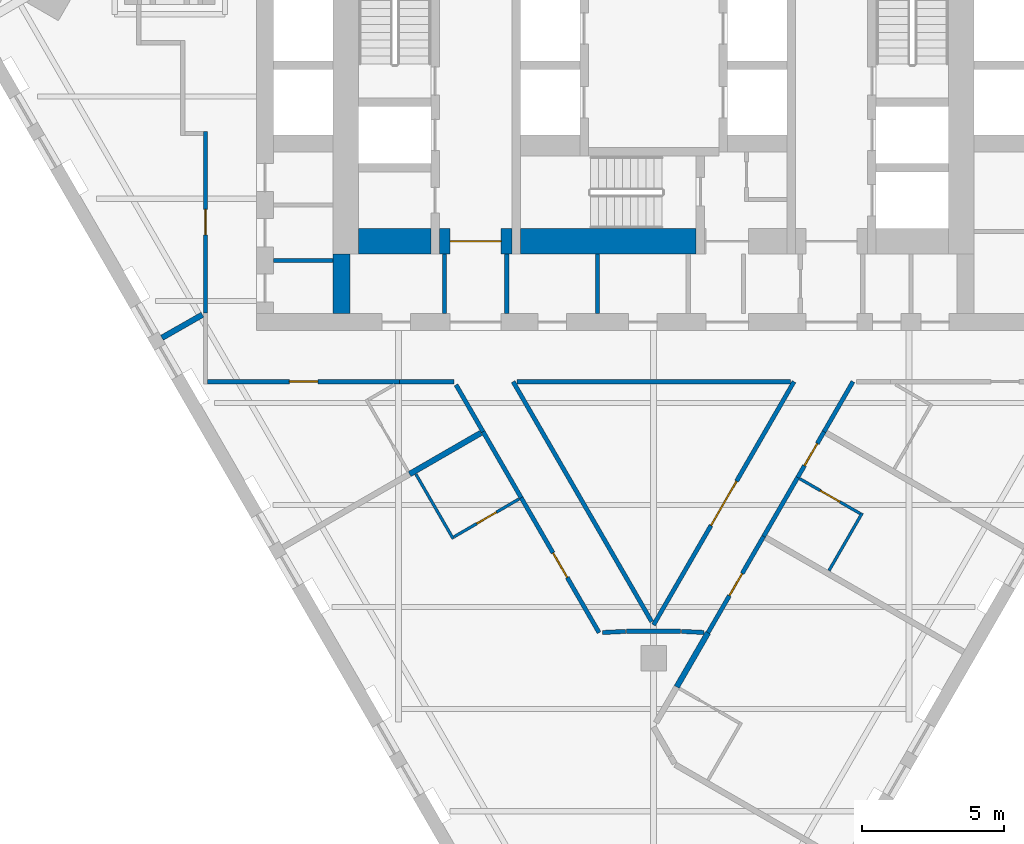
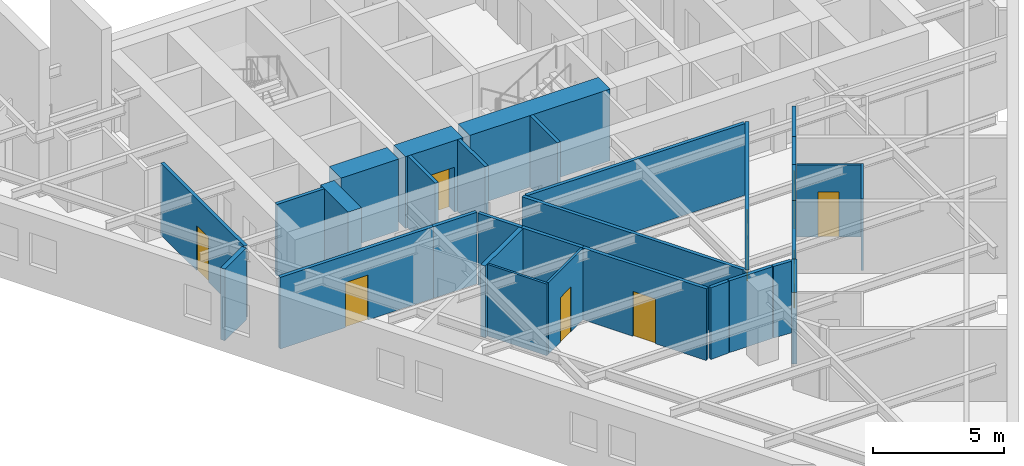
# One storey, part 3 of 9: 31 walls, 9 doors, 9 openings.
"""IFC4 building model written with IfcOpenShell, lengths in metres."""

from ifc_helpers import new_model, si_unit, direction, frame, frame_2d, origin, place, context, subcontext, project, spatial, rectangle, extrude, material, layer, layer_set, type_object, element, fill, save


model = new_model("IFC4")

# Units and contexts
model_context = context("Model", 3, precision=1e-05, world=origin(), true_north=direction((0.0, 1.0)))
body_context = subcontext(model_context, "Body", "Model", "MODEL_VIEW")
ifc_project = project(units=[si_unit("LENGTHUNIT", "METRE"), si_unit("AREAUNIT", "SQUARE_METRE"), si_unit("VOLUMEUNIT", "CUBIC_METRE"), si_unit("PLANEANGLEUNIT", "RADIAN"), si_unit("MASSUNIT", "GRAM", prefix="KILO")], contexts=[model_context])

# Site, building, storey
site_placement = place(None, origin())
site = spatial("IfcSite", under=ifc_project, at=site_placement, CompositionType="ELEMENT")
building_placement = place(site_placement, origin())
building = spatial("IfcBuilding", under=site, at=building_placement, Name="Aloe Facet Convention Tower", CompositionType="ELEMENT")
storey_placement = place(building_placement, frame((0.0, 0.0, 92.300048828125)))
storey = spatial("IfcBuildingStorey", under=building, at=storey_placement, Name="L22", CompositionType="ELEMENT", Elevation=92.300048828125)

# Walls
ifc_material_1 = material(Name="Concrete blockwork partition", Category="masonry")
ifc_layer_1 = layer(ifc_material_1, 0.14990234375)
ifc_layer_set_1 = layer_set([ifc_layer_1], Name="CR-W-PART150")
wall_type_1 = type_object("IfcWallType", Name="CR-W-PART150", PredefinedType="PARTITIONING", material=ifc_layer_set_1)
wall_1_placement = place(storey_placement, frame((66.60009765625, 122.02490234375, 0.0), z_axis=(0.0, 0.0, 1.0), x_axis=(1.0, 0.0, 0.0)))
element("IfcWall", 1, at=wall_1_placement, inside=storey, type_object=wall_type_1, Name="Core partition L22-008", PredefinedType="PARTITIONING", context=body_context, shape_type="SweptSolid", body=[
    extrude(rectangle(XDim=2.099853515625, YDim=0.14990234375, at=frame_2d((1.0498046875, 0.0))), origin(), (0.0, 0.0, 1.0), 3.349853515625),
])
for number, where, z_axis, x_axis, name in (
    (2, (72.625, 122.25, 0.0), (0.0, 0.0, 1.0), (0.0, -1.0, 0.0), "Core partition L22-017"),
    (3, (74.824951171875, 122.25, 0.0), (0.0, 0.0, 1.0), (0.0, -1.0, 0.0), "Core partition L22-018"),
    (4, (78.02490234375, 122.25, 0.0), (0.0, 0.0, 1.0), (0.0, -1.0, 0.0), "Core partition L22-026"),
):
    element("IfcWall", number, at=place(storey_placement, frame(where, z_axis=z_axis, x_axis=x_axis)), inside=storey, type_object=wall_type_1, Name=name, PredefinedType="PARTITIONING", context=body_context, shape_type="SweptSolid", body=[
        extrude(rectangle(XDim=2.10009765625, YDim=0.14990234375, at=frame_2d((1.050048828125, 0.0))), origin(), (0.0, 0.0, 1.0), 3.349853515625),
    ])
ifc_material_2 = material(Name="Concrete C70/85", Category="concrete")
ifc_layer_2 = layer(ifc_material_2, 0.60009765625)
ifc_layer_set_2 = layer_set([ifc_layer_2], Name="CR-W-RC600-C7085")
wall_type_2 = type_object("IfcWallType", Name="CR-W-RC600-C7085", PredefinedType="SOLIDWALL", material=ifc_layer_set_2)
wall_2_placement = place(storey_placement, frame((69.0, 122.25, 0.0), z_axis=(0.0, 0.0, 1.0), x_axis=(0.0, -1.0, 0.0)))
element("IfcWall", 5, at=wall_2_placement, inside=storey, type_object=wall_type_2, Name="Core wall L22-010", PredefinedType="SOLIDWALL", context=body_context, shape_type="SweptSolid", body=[
    extrude(rectangle(XDim=2.10009765625, YDim=0.60009765625, at=frame_2d((1.050048828125, 0.0))), origin(), (0.0, 0.0, 1.0), 3.349853515625),
])
ifc_material_3 = material(Name="Concrete C70/85", Category="concrete")
ifc_layer_3 = layer(ifc_material_3, 0.89990234375)
ifc_layer_set_3 = layer_set([ifc_layer_3], Name="CR-W-RC900-C7085")
wall_type_3 = type_object("IfcWallType", Name="CR-W-RC900-C7085", PredefinedType="SOLIDWALL", material=ifc_layer_set_3)
wall_3_placement = place(storey_placement, frame((69.60009765625, 122.699951171875, 0.0), z_axis=(0.0, 0.0, 1.0), x_axis=(1.0, 0.0, 0.0)))
element("IfcWall", 6, at=wall_3_placement, inside=storey, type_object=wall_type_3, Name="Core wall L22-013", PredefinedType="SOLIDWALL", context=body_context, shape_type="SweptSolid", body=[
    extrude(rectangle(XDim=2.5498046875, YDim=0.89990234375, at=frame_2d((1.27490234375, 0.0))), origin(), (0.0, 0.0, 1.0), 3.349853515625),
])

# Wall, opening, door
wall_4_placement = place(storey_placement, frame((72.449951171875, 122.699951171875, 0.0), z_axis=(0.0, 0.0, 1.0), x_axis=(1.0, 0.0, 0.0)))
wall_4 = element("IfcWall", 7, at=wall_4_placement, inside=storey, type_object=wall_type_3, Name="Core wall L22-016", PredefinedType="SOLIDWALL", context=body_context, shape_type="SweptSolid", body=[
    extrude(rectangle(XDim=2.550048828125, YDim=0.89990234375, at=frame_2d((1.27490234375, 0.0))), origin(), (0.0, 0.0, 1.0), 3.349853515625),
])
opening_1_placement = place(wall_4_placement, frame((0.375, 0.0, 0.0)))
opening_1 = element("IfcOpeningElement", 8, at=opening_1_placement, cuts=wall_4, Name="Opening L22-CD14", PredefinedType="OPENING", context=body_context, shape_type="SweptSolid", body=[
    extrude(rectangle(XDim=1.800048828125, YDim=2.10009765625, at=frame_2d((0.89990234375, 1.050048828125))), frame((0.0, 0.4599609375, 0.0), z_axis=(0.0, -1.0, 0.0), x_axis=(1.0, 0.0, 0.0)), (0.0, 0.0, 1.0), 0.919921875),
])
ifc_material_4 = material(Name="Steel fire-resisting door set FD120", Category="steel")
door_type_1 = type_object("IfcDoorType", Name="CR-D-EXIT-1800-FD120-DD", OperationType="DOUBLE_DOOR_DOUBLE_SWING", PredefinedType="DOOR", material=ifc_material_4)
door_1_placement = place(opening_1_placement, origin())
door_1 = element("IfcDoor", 9, at=door_1_placement, inside=storey, type_object=door_type_1, Name="Core door L22-CD14", OperationType="DOUBLE_DOOR_DOUBLE_SWING", OverallHeight=2.10009765625, OverallWidth=1.800048828125, PredefinedType="DOOR", context=body_context, shape_type="SweptSolid", body=[
    extrude(rectangle(XDim=1.800048828125, YDim=2.10009765625, at=frame_2d((0.89990234375, 1.050048828125))), frame((0.0, 0.02490234375, 0.0), z_axis=(0.0, -1.0, 0.0), x_axis=(1.0, 0.0, 0.0)), (0.0, 0.0, 1.0), 0.050048828125),
])
fill(opening_1, door_1)

# Wall
wall_5_placement = place(storey_placement, frame((75.300048828125, 122.699951171875, 0.0), z_axis=(0.0, 0.0, 1.0), x_axis=(1.0, 0.0, 0.0)))
element("IfcWall", 10, at=wall_5_placement, inside=storey, type_object=wall_type_3, Name="Core wall L22-023", PredefinedType="SOLIDWALL", context=body_context, shape_type="SweptSolid", body=[
    extrude(rectangle(XDim=6.199951171875, YDim=0.89990234375, at=frame_2d((3.10009765625, 0.0))), origin(), (0.0, 0.0, 1.0), 3.349853515625),
])

# Wall, opening, door
ifc_material_5 = material(Name="Gypsum board partition on steel studs", Category="steel")
ifc_layer_4 = layer(ifc_material_5, 0.14990234375)
ifc_layer_set_4 = layer_set([ifc_layer_4], Name="IN-W-CORR")
wall_type_4 = type_object("IfcWallType", Name="IN-W-CORR", PredefinedType="PARTITIONING", material=ifc_layer_set_4)
wall_6_placement = place(storey_placement, frame((75.33203125, 113.65576171875, 0.0), z_axis=(0.0, 0.0, 1.0), x_axis=(0.499995531332, -0.866027983755, 0.0)))
wall_6 = element("IfcWall", 11, at=wall_6_placement, inside=storey, type_object=wall_type_4, Name="Partition L22-W010", PredefinedType="PARTITIONING", context=body_context, shape_type="SweptSolid", body=[
    extrude(rectangle(XDim=5.49462890625, YDim=0.14990234375, at=frame_2d((2.747314453125, 0.0))), origin(), (0.0, 0.0, 1.0), 3.349853515625),
])
opening_2_placement = place(wall_6_placement, frame((2.247314453125, 0.0, 0.0)))
opening_2 = element("IfcOpeningElement", 12, at=opening_2_placement, cuts=wall_6, Name="Opening L22-003", PredefinedType="OPENING", context=body_context, shape_type="SweptSolid", body=[
    extrude(rectangle(XDim=1.0, YDim=2.10009765625, at=frame_2d((0.5, 1.050048828125))), frame((0.0, 0.0849609375, 0.0), z_axis=(0.0, -1.0, 0.0), x_axis=(1.0, 0.0, 0.0)), (0.0, 0.0, 1.0), 0.169921875),
])
ifc_material_6 = material(Name="Hardwood flush door FD30S", Category="wood")
door_type_2 = type_object("IfcDoorType", Name="IN-D-WIDE", OperationType="SINGLE_SWING_LEFT", PredefinedType="DOOR", material=ifc_material_6)
door_2_placement = place(opening_2_placement, origin())
door_2 = element("IfcDoor", 13, at=door_2_placement, inside=storey, type_object=door_type_2, Name="Door L22-003", OperationType="SINGLE_SWING_LEFT", OverallHeight=2.10009765625, OverallWidth=1.0, PredefinedType="DOOR", context=body_context, shape_type="SweptSolid", body=[
    extrude(rectangle(XDim=1.0, YDim=2.10009765625, at=frame_2d((0.5, 1.050048828125))), frame((0.0, 0.02490234375, 0.0), z_axis=(0.0, -1.0, 0.0), x_axis=(1.0, 0.0, 0.0)), (0.0, 0.0, 1.0), 0.050048828125),
])
fill(opening_2, door_2)

# Walls
wall_7_placement = place(storey_placement, frame((80.9833984375, 108.943359375, 0.0), z_axis=(0.0, 0.0, 1.0), x_axis=(0.998802165703, -0.048930908301, 0.0)))
element("IfcWall", 14, at=wall_7_placement, inside=storey, type_object=wall_type_4, Name="Partition L22-W011", PredefinedType="PARTITIONING", context=body_context, shape_type="SweptSolid", body=[
    extrude(rectangle(XDim=0.79833984375, YDim=0.14990234375, at=frame_2d((0.399169921875, 0.0))), origin(), (0.0, 0.0, 1.0), 3.349853515625),
])
wall_8_placement = place(storey_placement, frame((78.201904296875, 108.9033203125, 0.0), z_axis=(0.0, 0.0, 1.0), x_axis=(0.998794521593, 0.049086695098, 0.0)))
element("IfcWall", 15, at=wall_8_placement, inside=storey, type_object=wall_type_4, Name="Partition L22-W013", PredefinedType="PARTITIONING", context=body_context, shape_type="SweptSolid", body=[
    extrude(rectangle(XDim=0.815673828125, YDim=0.14990234375, at=frame_2d((0.40771484375, 0.0))), origin(), (0.0, 0.0, 1.0), 3.349853515625),
])
wall_9_placement = place(storey_placement, frame((79.050048828125, 108.949951171875, 0.0), z_axis=(0.0, 0.0, 1.0), x_axis=(1.0, 0.0, 0.0)))
element("IfcWall", 16, at=wall_9_placement, inside=storey, type_object=wall_type_4, Name="Partition L22-W014", PredefinedType="PARTITIONING", context=body_context, shape_type="SweptSolid", body=[
    extrude(rectangle(XDim=1.89990234375, YDim=0.14990234375, at=frame_2d((0.949951171875, 0.0))), origin(), (0.0, 0.0, 1.0), 3.349853515625),
])

# Wall, opening, door
wall_10_placement = place(storey_placement, frame((80.0, 109.17041015625, 0.0), z_axis=(0.0, 0.0, 1.0), x_axis=(0.499995505729, 0.866027998537, 0.0)))
wall_10 = element("IfcWall", 17, at=wall_10_placement, inside=storey, type_object=wall_type_4, Name="Partition L22-W015", PredefinedType="PARTITIONING", context=body_context, shape_type="SweptSolid", body=[
    extrude(rectangle(XDim=9.90673828125, YDim=0.14990234375, at=frame_2d((4.953369140625, 0.0))), origin(), (0.0, 0.0, 1.0), 3.349853515625),
])
opening_3_placement = place(wall_10_placement, frame((4.053466796875, 0.0, 0.0)))
opening_3 = element("IfcOpeningElement", 18, at=opening_3_placement, cuts=wall_10, Name="Opening L22-008", PredefinedType="OPENING", context=body_context, shape_type="SweptSolid", body=[
    extrude(rectangle(XDim=1.800048828125, YDim=2.10009765625, at=frame_2d((0.89990234375, 1.050048828125))), frame((0.0, 0.0849609375, 0.0), z_axis=(0.0, -1.0, 0.0), x_axis=(1.0, 0.0, 0.0)), (0.0, 0.0, 1.0), 0.169921875),
])
ifc_material_7 = material(Name="Timber flush door pair", Category="wood")
door_type_3 = type_object("IfcDoorType", Name="IN-D-PAIR-U", OperationType="DOUBLE_DOOR_SINGLE_SWING", PredefinedType="DOOR", material=ifc_material_7)
door_3_placement = place(opening_3_placement, origin())
door_3 = element("IfcDoor", 19, at=door_3_placement, inside=storey, type_object=door_type_3, Name="Door L22-008", OperationType="SINGLE_SWING_LEFT", OverallHeight=2.10009765625, OverallWidth=1.800048828125, PredefinedType="DOOR", context=body_context, shape_type="SweptSolid", body=[
    extrude(rectangle(XDim=1.800048828125, YDim=2.10009765625, at=frame_2d((0.89990234375, 1.050048828125))), frame((0.0, 0.02490234375, 0.0), z_axis=(0.0, -1.0, 0.0), x_axis=(1.0, 0.0, 0.0)), (0.0, 0.0, 1.0), 0.050048828125),
])
fill(opening_3, door_3)

wall_11_placement = place(storey_placement, frame((81.920654296875, 108.897216796875, 0.0), z_axis=(0.0, 0.0, 1.0), x_axis=(0.500017148795, 0.866015502696, 0.0)))
wall_11 = element("IfcWall", 20, at=wall_11_placement, inside=storey, type_object=wall_type_4, Name="Partition L22-W021", PredefinedType="PARTITIONING", context=body_context, shape_type="SweptSolid", body=[
    extrude(rectangle(XDim=3.920166015625, YDim=0.14990234375, at=frame_2d((1.9599609375, 0.0))), origin(), (0.0, 0.0, 1.0), 3.349853515625),
])
opening_4_placement = place(wall_11_placement, frame((1.510009765625, 0.0, 0.0)))
opening_4 = element("IfcOpeningElement", 21, at=opening_4_placement, cuts=wall_11, Name="Opening L22-004", PredefinedType="OPENING", context=body_context, shape_type="SweptSolid", body=[
    extrude(rectangle(XDim=0.89990234375, YDim=2.10009765625, at=frame_2d((0.449951171875, 1.050048828125))), frame((0.0, 0.0849609375, 0.0), z_axis=(0.0, -1.0, 0.0), x_axis=(1.0, 0.0, 0.0)), (0.0, 0.0, 1.0), 0.169921875),
])
ifc_material_8 = material(Name="Hardwood flush door FD30S", Category="wood")
door_type_4 = type_object("IfcDoorType", Name="IN-D-GUEST", OperationType="SINGLE_SWING_LEFT", PredefinedType="DOOR", material=ifc_material_8)
door_4_placement = place(opening_4_placement, origin())
door_4 = element("IfcDoor", 22, at=door_4_placement, inside=storey, type_object=door_type_4, Name="Door L22-004", OperationType="SINGLE_SWING_LEFT", OverallHeight=2.10009765625, OverallWidth=0.89990234375, PredefinedType="DOOR", context=body_context, shape_type="SweptSolid", body=[
    extrude(rectangle(XDim=0.89990234375, YDim=2.10009765625, at=frame_2d((0.449951171875, 1.050048828125))), frame((0.0, 0.02490234375, 0.0), z_axis=(0.0, -1.0, 0.0), x_axis=(1.0, 0.0, 0.0)), (0.0, 0.0, 1.0), 0.050048828125),
])
fill(opening_4, door_4)

# Walls
wall_12_placement = place(storey_placement, frame((83.880859375, 112.292236328125, 0.0), z_axis=(0.0, 0.0, 1.0), x_axis=(0.500001309137, 0.866024647952, 0.0)))
element("IfcWall", 23, at=wall_12_placement, inside=storey, type_object=wall_type_4, Name="Partition L22-W023", PredefinedType="PARTITIONING", context=body_context, shape_type="SweptSolid", body=[
    extrude(rectangle(XDim=2.39990234375, YDim=0.14990234375, at=frame_2d((1.199951171875, 0.0))), origin(), (0.0, 0.0, 1.0), 3.349853515625),
])
wall_13_placement = place(storey_placement, frame((73.987060546875, 115.9853515625, 0.0), z_axis=(0.0, 0.0, 1.0), x_axis=(0.499994808408, -0.866028401131, 0.0)))
element("IfcWall", 24, at=wall_13_placement, inside=storey, type_object=wall_type_4, Name="Partition L22-W032", PredefinedType="PARTITIONING", context=body_context, shape_type="SweptSolid", body=[
    extrude(rectangle(XDim=2.68994140625, YDim=0.14990234375, at=frame_2d((1.344970703125, 0.0))), origin(), (0.0, 0.0, 1.0), 3.349853515625),
])

# Wall, opening, door
wall_14_placement = place(storey_placement, frame((85.080810546875, 114.37060546875, 0.0), z_axis=(0.0, 0.0, 1.0), x_axis=(0.499941596792, 0.866059120267, 0.0)))
wall_14 = element("IfcWall", 25, at=wall_14_placement, inside=storey, type_object=wall_type_4, Name="Partition L22-W034", PredefinedType="PARTITIONING", context=body_context, shape_type="SweptSolid", body=[
    extrude(rectangle(XDim=1.864501953125, YDim=0.14990234375, at=frame_2d((0.93212890625, 0.0))), origin(), (0.0, 0.0, 1.0), 3.349853515625),
])
opening_5_placement = place(wall_14_placement, frame((0.482177734375, 0.0, 0.0)))
opening_5 = element("IfcOpeningElement", 26, at=opening_5_placement, cuts=wall_14, Name="Opening L22-005", PredefinedType="OPENING", context=body_context, shape_type="SweptSolid", body=[
    extrude(rectangle(XDim=0.89990234375, YDim=2.10009765625, at=frame_2d((0.449951171875, 1.050048828125))), frame((0.0, 0.0849609375, 0.0), z_axis=(0.0, -1.0, 0.0), x_axis=(1.0, 0.0, 0.0)), (0.0, 0.0, 1.0), 0.169921875),
])
door_5_placement = place(opening_5_placement, origin())
door_5 = element("IfcDoor", 27, at=door_5_placement, inside=storey, type_object=door_type_4, Name="Door L22-005", OperationType="SINGLE_SWING_LEFT", OverallHeight=2.10009765625, OverallWidth=0.89990234375, PredefinedType="DOOR", context=body_context, shape_type="SweptSolid", body=[
    extrude(rectangle(XDim=0.89990234375, YDim=2.10009765625, at=frame_2d((0.449951171875, 1.050048828125))), frame((0.0, 0.02490234375, 0.0), z_axis=(0.0, -1.0, 0.0), x_axis=(1.0, 0.0, 0.0)), (0.0, 0.0, 1.0), 0.050048828125),
])
fill(opening_5, door_5)

# Walls
wall_15_placement = place(storey_placement, frame((86.012939453125, 115.9853515625, 0.0), z_axis=(0.0, 0.0, 1.0), x_axis=(0.499992114976, 0.866029956157, 0.0)))
element("IfcWall", 28, at=wall_15_placement, inside=storey, type_object=wall_type_4, Name="Partition L22-W036", PredefinedType="PARTITIONING", context=body_context, shape_type="SweptSolid", body=[
    extrude(rectangle(XDim=2.03759765625, YDim=0.14990234375, at=frame_2d((1.018798828125, 0.0))), origin(), (0.0, 0.0, 1.0), 3.349853515625),
])
wall_16_placement = place(storey_placement, frame((71.043701171875, 117.75, 0.0), z_axis=(0.0, 0.0, 1.0), x_axis=(1.0, 0.0, 0.0)))
element("IfcWall", 29, at=wall_16_placement, inside=storey, type_object=wall_type_4, Name="Partition L22-W040", PredefinedType="PARTITIONING", context=body_context, shape_type="SweptSolid", body=[
    extrude(rectangle(XDim=1.924560546875, YDim=0.14990234375, at=frame_2d((0.96240234375, 0.0))), origin(), (0.0, 0.0, 1.0), 3.349853515625),
])

# Wall, opening, door
wall_17_placement = place(storey_placement, frame((64.27490234375, 117.75, 0.0), z_axis=(0.0, 0.0, 1.0), x_axis=(1.0, 0.0, 0.0)))
wall_17 = element("IfcWall", 30, at=wall_17_placement, inside=storey, type_object=wall_type_4, Name="Partition L22-W041", PredefinedType="PARTITIONING", context=body_context, shape_type="SweptSolid", body=[
    extrude(rectangle(XDim=6.768798828125, YDim=0.14990234375, at=frame_2d((3.38427734375, 0.0))), origin(), (0.0, 0.0, 1.0), 3.349853515625),
])
opening_6_placement = place(wall_17_placement, frame((2.88427734375, 0.0, 0.0)))
opening_6 = element("IfcOpeningElement", 31, at=opening_6_placement, cuts=wall_17, Name="Opening L22-002", PredefinedType="OPENING", context=body_context, shape_type="SweptSolid", body=[
    extrude(rectangle(XDim=1.0, YDim=2.10009765625, at=frame_2d((0.5, 1.050048828125))), frame((0.0, 0.0849609375, 0.0), z_axis=(0.0, -1.0, 0.0), x_axis=(1.0, 0.0, 0.0)), (0.0, 0.0, 1.0), 0.169921875),
])
door_6_placement = place(opening_6_placement, origin())
door_6 = element("IfcDoor", 32, at=door_6_placement, inside=storey, type_object=door_type_2, Name="Door L22-002", OperationType="SINGLE_SWING_LEFT", OverallHeight=2.10009765625, OverallWidth=1.0, PredefinedType="DOOR", context=body_context, shape_type="SweptSolid", body=[
    extrude(rectangle(XDim=1.0, YDim=2.10009765625, at=frame_2d((0.5, 1.050048828125))), frame((0.0, 0.02490234375, 0.0), z_axis=(0.0, -1.0, 0.0), x_axis=(1.0, 0.0, 0.0)), (0.0, 0.0, 1.0), 0.050048828125),
])
fill(opening_6, door_6)

# Walls
wall_18_placement = place(storey_placement, frame((73.033203125, 117.637451171875, 0.0), z_axis=(0.0, 0.0, 1.0), x_axis=(0.500006788699, -0.866021484292, 0.0)))
element("IfcWall", 33, at=wall_18_placement, inside=storey, type_object=wall_type_4, Name="Partition L22-W042", PredefinedType="PARTITIONING", context=body_context, shape_type="SweptSolid", body=[
    extrude(rectangle(XDim=1.90771484375, YDim=0.14990234375, at=frame_2d((0.953857421875, 0.0))), origin(), (0.0, 0.0, 1.0), 3.349853515625),
])
wall_19_placement = place(storey_placement, frame((75.046630859375, 117.75, 0.0), z_axis=(0.0, 0.0, 1.0), x_axis=(0.49999841397, -0.866026319477, 0.0)))
element("IfcWall", 34, at=wall_19_placement, inside=storey, type_object=wall_type_4, Name="Partition L22-W043", PredefinedType="PARTITIONING", context=body_context, shape_type="SweptSolid", body=[
    extrude(rectangle(XDim=9.77685546875, YDim=0.14990234375, at=frame_2d((4.888427734375, 0.0))), origin(), (0.0, 0.0, 1.0), 3.349853515625),
])
wall_20_placement = place(storey_placement, frame((75.176513671875, 117.75, 0.0), z_axis=(0.0, 0.0, 1.0), x_axis=(1.0, 0.0, 0.0)))
element("IfcWall", 35, at=wall_20_placement, inside=storey, type_object=wall_type_4, Name="Partition L22-W044", PredefinedType="PARTITIONING", context=body_context, shape_type="SweptSolid", body=[
    extrude(rectangle(XDim=9.64697265625, YDim=0.14990234375, at=frame_2d((4.823486328125, 0.0))), origin(), (0.0, 0.0, 1.0), 3.349853515625),
])

# Wall, opening, door
wall_21_placement = place(storey_placement, frame((64.199951171875, 120.171142578125, 0.0), z_axis=(0.0, 0.0, 1.0), x_axis=(0.0, 1.0, 0.0)))
wall_21 = element("IfcWall", 36, at=wall_21_placement, inside=storey, type_object=wall_type_4, Name="Partition L22-W050", PredefinedType="PARTITIONING", context=body_context, shape_type="SweptSolid", body=[
    extrude(rectangle(XDim=6.40380859375, YDim=0.14990234375, at=frame_2d((3.201904296875, 0.0))), origin(), (0.0, 0.0, 1.0), 3.349853515625),
])
opening_7_placement = place(wall_21_placement, frame((2.751953125, 0.0, 0.0)))
opening_7 = element("IfcOpeningElement", 37, at=opening_7_placement, cuts=wall_21, Name="Opening L22-001", PredefinedType="OPENING", context=body_context, shape_type="SweptSolid", body=[
    extrude(rectangle(XDim=0.89990234375, YDim=2.10009765625, at=frame_2d((0.449951171875, 1.050048828125))), frame((0.0, 0.0849609375, 0.0), z_axis=(0.0, -1.0, 0.0), x_axis=(1.0, 0.0, 0.0)), (0.0, 0.0, 1.0), 0.169921875),
])
door_7_placement = place(opening_7_placement, origin())
door_7 = element("IfcDoor", 38, at=door_7_placement, inside=storey, type_object=door_type_4, Name="Door L22-001", OperationType="SINGLE_SWING_LEFT", OverallHeight=2.10009765625, OverallWidth=0.89990234375, PredefinedType="DOOR", context=body_context, shape_type="SweptSolid", body=[
    extrude(rectangle(XDim=0.89990234375, YDim=2.10009765625, at=frame_2d((0.449951171875, 1.050048828125))), frame((0.0, 0.02490234375, 0.0), z_axis=(0.0, -1.0, 0.0), x_axis=(1.0, 0.0, 0.0)), (0.0, 0.0, 1.0), 0.050048828125),
])
fill(opening_7, door_7)

# Walls
ifc_material_9 = material(Name="Gypsum board partition on steel studs", Category="steel")
ifc_layer_5 = layer(ifc_material_9, 0.10009765625)
ifc_layer_set_5 = layer_set([ifc_layer_5], Name="IN-W-PART")
wall_type_5 = type_object("IfcWallType", Name="IN-W-PART", PredefinedType="PARTITIONING", material=ifc_layer_set_5)
wall_22_placement = place(storey_placement, frame((71.6171875, 114.489990234375, 0.0), z_axis=(0.0, 0.0, 1.0), x_axis=(0.500007957085, -0.86602080971, 0.0)))
element("IfcWall", 39, at=wall_22_placement, inside=storey, type_object=wall_type_5, Name="Partition L22-W020", PredefinedType="PARTITIONING", context=body_context, shape_type="SweptSolid", body=[
    extrude(rectangle(XDim=2.64013671875, YDim=0.10009765625, at=frame_2d((1.320068359375, 0.0))), origin(), (0.0, 0.0, 1.0), 3.349853515625),
])
wall_23_placement = place(storey_placement, frame((86.1875, 111.087646484375, 0.0), z_axis=(0.0, 0.0, 1.0), x_axis=(0.499999433879, 0.866025730634, 0.0)))
element("IfcWall", 40, at=wall_23_placement, inside=storey, type_object=wall_type_5, Name="Partition L22-W024", PredefinedType="PARTITIONING", context=body_context, shape_type="SweptSolid", body=[
    extrude(rectangle(XDim=2.33984375, YDim=0.10009765625, at=frame_2d((1.169921875, 0.0))), origin(), (0.0, 0.0, 1.0), 3.349853515625),
])

# Wall, opening, door
wall_24_placement = place(storey_placement, frame((72.964111328125, 112.277099609375, 0.0), z_axis=(0.0, 0.0, 1.0), x_axis=(0.864225488694, 0.503104665742, 0.0)))
wall_24 = element("IfcWall", 41, at=wall_24_placement, inside=storey, type_object=wall_type_5, Name="Partition L22-W025", PredefinedType="PARTITIONING", context=body_context, shape_type="SweptSolid", body=[
    extrude(rectangle(XDim=2.65478515625, YDim=0.10009765625, at=frame_2d((1.327392578125, 0.0))), origin(), (0.0, 0.0, 1.0), 3.349853515625),
])
opening_8_placement = place(wall_24_placement, frame((0.927490234375, 0.0, 0.0)))
opening_8 = element("IfcOpeningElement", 42, at=opening_8_placement, cuts=wall_24, Name="Opening L22-011", PredefinedType="OPENING", context=body_context, shape_type="SweptSolid", body=[
    extrude(rectangle(XDim=0.800048828125, YDim=2.10009765625, at=frame_2d((0.39990234375, 1.050048828125))), frame((0.0, 0.06005859375, 0.0), z_axis=(0.0, -1.0, 0.0), x_axis=(1.0, 0.0, 0.0)), (0.0, 0.0, 1.0), 0.1201171875),
])
ifc_material_10 = material(Name="Timber flush door", Category="wood")
door_type_5 = type_object("IfcDoorType", Name="IN-D-BATH", OperationType="SINGLE_SWING_LEFT", PredefinedType="DOOR", material=ifc_material_10)
door_8_placement = place(opening_8_placement, origin())
door_8 = element("IfcDoor", 43, at=door_8_placement, inside=storey, type_object=door_type_5, Name="Door L22-011", OperationType="SINGLE_SWING_LEFT", OverallHeight=2.10009765625, OverallWidth=0.800048828125, PredefinedType="DOOR", context=body_context, shape_type="SweptSolid", body=[
    extrude(rectangle(XDim=0.800048828125, YDim=2.10009765625, at=frame_2d((0.39990234375, 1.050048828125))), frame((0.0, 0.02490234375, 0.0), z_axis=(0.0, -1.0, 0.0), x_axis=(1.0, 0.0, 0.0)), (0.0, 0.0, 1.0), 0.050048828125),
])
fill(opening_8, door_8)

wall_25_placement = place(storey_placement, frame((85.154296875, 114.328125, 0.0), z_axis=(0.0, 0.0, 1.0), x_axis=(0.866040446274, -0.499973944738, 0.0)))
wall_25 = element("IfcWall", 44, at=wall_25_placement, inside=storey, type_object=wall_type_5, Name="Partition L22-W026", PredefinedType="PARTITIONING", context=body_context, shape_type="SweptSolid", body=[
    extrude(rectangle(XDim=2.465087890625, YDim=0.10009765625, at=frame_2d((1.232421875, 0.0))), origin(), (0.0, 0.0, 1.0), 3.349853515625),
])
opening_9_placement = place(wall_25_placement, frame((0.83251953125, 0.0, 0.0)))
opening_9 = element("IfcOpeningElement", 45, at=opening_9_placement, cuts=wall_25, Name="Opening L22-013", PredefinedType="OPENING", context=body_context, shape_type="SweptSolid", body=[
    extrude(rectangle(XDim=0.800048828125, YDim=2.10009765625, at=frame_2d((0.39990234375, 1.050048828125))), frame((0.0, 0.06005859375, 0.0), z_axis=(0.0, -1.0, 0.0), x_axis=(1.0, 0.0, 0.0)), (0.0, 0.0, 1.0), 0.1201171875),
])
door_9_placement = place(opening_9_placement, origin())
door_9 = element("IfcDoor", 46, at=door_9_placement, inside=storey, type_object=door_type_5, Name="Door L22-013", OperationType="SINGLE_SWING_LEFT", OverallHeight=2.10009765625, OverallWidth=0.800048828125, PredefinedType="DOOR", context=body_context, shape_type="SweptSolid", body=[
    extrude(rectangle(XDim=0.800048828125, YDim=2.10009765625, at=frame_2d((0.39990234375, 1.050048828125))), frame((0.0, 0.02490234375, 0.0), z_axis=(0.0, -1.0, 0.0), x_axis=(1.0, 0.0, 0.0)), (0.0, 0.0, 1.0), 0.050048828125),
])
fill(opening_9, door_9)

# Walls
ifc_material_11 = material(Name="Gypsum board partition on steel studs", Category="steel")
ifc_layer_6 = layer(ifc_material_11, 0.199951171875)
ifc_layer_set_6 = layer_set([ifc_layer_6], Name="IN-W-PARTY")
wall_type_6 = type_object("IfcWallType", Name="IN-W-PARTY", PredefinedType="PARTITIONING", material=ifc_layer_set_6)
wall_26_placement = place(storey_placement, frame((80.81640625, 106.984619140625, 0.0), z_axis=(0.0, 0.0, 1.0), x_axis=(0.500003149848, 0.866023585211, 0.0)))
element("IfcWall", 47, at=wall_26_placement, inside=storey, type_object=wall_type_6, Name="Partition L22-W012", PredefinedType="PARTITIONING", context=body_context, shape_type="SweptSolid", body=[
    extrude(rectangle(XDim=2.20849609375, YDim=0.199951171875, at=frame_2d((1.104248046875, 0.0))), origin(), (0.0, 0.0, 1.0), 3.349853515625),
])
wall_27_placement = place(storey_placement, frame((71.397705078125, 114.490234375, 0.0), z_axis=(0.0, 0.0, 1.0), x_axis=(0.866026028799, 0.499998917442, 0.0)))
element("IfcWall", 48, at=wall_27_placement, inside=storey, type_object=wall_type_6, Name="Partition L22-W033", PredefinedType="PARTITIONING", context=body_context, shape_type="SweptSolid", body=[
    extrude(rectangle(XDim=2.90478515625, YDim=0.199951171875, at=frame_2d((1.452392578125, 0.0))), origin(), (0.0, 0.0, 1.0), 3.349853515625),
])
wall_28_placement = place(storey_placement, frame((62.66455078125, 119.29638671875, 0.0), z_axis=(0.0, 0.0, 1.0), x_axis=(0.868846341096, 0.495081847339, 0.0)))
element("IfcWall", 49, at=wall_28_placement, inside=storey, type_object=wall_type_6, Name="Partition L22-W048", PredefinedType="PARTITIONING", context=body_context, shape_type="SweptSolid", body=[
    extrude(rectangle(XDim=1.64208984375, YDim=0.199951171875, at=frame_2d((0.821044921875, 0.0))), origin(), (0.0, 0.0, 1.0), 3.349853515625),
])

save(model, "model.ifc")
